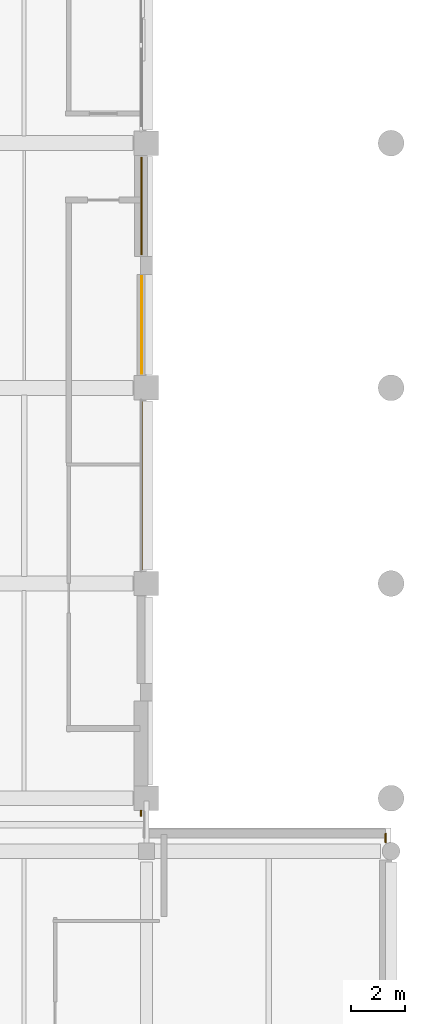
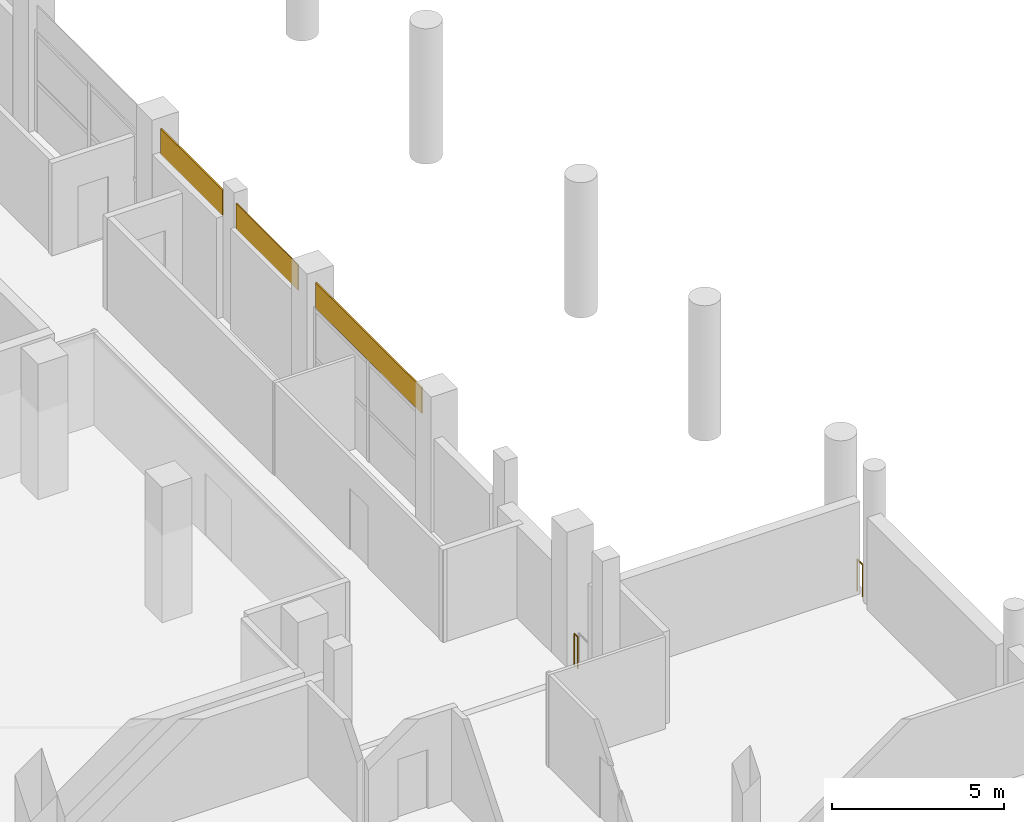
# One storey, part 89 of 100: 3 coverings, 2 railings.
"""IFC4 building model written with IfcOpenShell, lengths in metres."""

from ifc_helpers import new_model, si_unit, direction, frame, origin, origin_2d, place, context, subcontext, project, spatial, rectangle, circle, extrude, material, layer, layer_set, type_object, element, save


model = new_model("IFC4")

# Units and contexts
model_context = context("Model", 3, precision=1e-05, world=origin(), true_north=direction((0.0, 1.0)))
body_context = subcontext(model_context, "Body", "Model", "MODEL_VIEW")
ifc_project = project(units=[si_unit("LENGTHUNIT", "METRE"), si_unit("AREAUNIT", "SQUARE_METRE"), si_unit("VOLUMEUNIT", "CUBIC_METRE"), si_unit("PLANEANGLEUNIT", "RADIAN"), si_unit("MASSUNIT", "GRAM", prefix="KILO"), si_unit("THERMODYNAMICTEMPERATUREUNIT", "KELVIN"), si_unit("POWERUNIT", "WATT")], contexts=[model_context])

# Site, building, storey
site_placement = place(None, origin())
site = spatial("IfcSite", under=ifc_project, at=site_placement, CompositionType="ELEMENT")
building_placement = place(site_placement, origin())
building = spatial("IfcBuilding", under=site, at=building_placement, Name="Sindhuravela Promenade Stadium", CompositionType="ELEMENT")
storey_placement = place(building_placement, frame((0.0, 0.0, 4.800048828125)))
storey = spatial("IfcBuildingStorey", under=building, at=storey_placement, Name="L01", CompositionType="ELEMENT", Elevation=4.800048828125)

# Coverings
ifc_material_1 = material(Name="Polychrome trencadis ceramic mosaic", Category="masonry")
ifc_layer_1 = layer(ifc_material_1, 0.034912109375)
ifc_layer_set_1 = layer_set([ifc_layer_1], Name="Polychrome trencadis ceramic mosaic")
covering_type_1 = type_object("IfcCoveringType", Name="CV-TRENC-1", PredefinedType="CLADDING", material=ifc_layer_set_1)
covering_1_placement = place(storey_placement, frame((206.820068359375, 54.512451171875, 3.55517578125), z_axis=(0.0, 0.0, 1.0), x_axis=(0.0, -1.0, 0.0)))
element("IfcCovering", 1, at=covering_1_placement, inside=storey, type_object=covering_type_1, Name="Trencadis ceramic mosaic spandrel frieze EAST L01-168", PredefinedType="CLADDING", context=body_context, shape_type="SweptSolid", body=[
    extrude(rectangle(XDim=3.594970703125, YDim=0.034912109375, at=origin_2d()), origin(), (0.0, 0.0, 1.0), 0.905029296875),
])
ifc_layer_2 = layer(ifc_material_1, 0.050048828125)
ifc_layer_set_2 = layer_set([ifc_layer_2], Name="Polychrome trencadis ceramic mosaic")
covering_type_2 = type_object("IfcCoveringType", Name="CV-TRENC-2", PredefinedType="CLADDING", material=ifc_layer_set_2)
covering_2_placement = place(storey_placement, frame((206.820068359375, 58.887451171875, 3.55517578125), z_axis=(0.0, 0.0, 1.0), x_axis=(0.0, -1.0, 0.0)))
element("IfcCovering", 2, at=covering_2_placement, inside=storey, type_object=covering_type_2, Name="Trencadis ceramic mosaic spandrel frieze EAST L01-167", PredefinedType="CLADDING", context=body_context, shape_type="SweptSolid", body=[
    extrude(rectangle(XDim=3.594970703125, YDim=0.050048828125, at=origin_2d()), origin(), (0.0, 0.0, 1.0), 0.905029296875),
])
covering_3_placement = place(storey_placement, frame((206.820068359375, 48.60009765625, 3.55517578125), z_axis=(0.0, 0.0, 1.0), x_axis=(0.0, -1.0, 0.0)))
element("IfcCovering", 3, at=covering_3_placement, inside=storey, type_object=covering_type_2, Name="Trencadis ceramic mosaic spandrel frieze EAST L01-169", PredefinedType="CLADDING", context=body_context, shape_type="SweptSolid", body=[
    extrude(rectangle(XDim=6.169921875, YDim=0.050048828125, at=origin_2d()), origin(), (0.0, 0.0, 1.0), 0.905029296875),
])

# Railings
ifc_material_2 = material(Name="Architectural wrought steel E350", Category="steel")
railing_type = type_object("IfcRailingType", Name="RL-GRD-1150", PredefinedType="GUARDRAIL", material=ifc_material_2)
railing_1_placement = place(storey_placement, frame((206.800048828125, 36.64501953125, 0.0)))
element("IfcRailing", 4, at=railing_1_placement, inside=storey, type_object=railing_type, Name="Perimeter edge return guard EAST L01", PredefinedType="GUARDRAIL", context=body_context, shape_type="SweptSolid", body=[
    extrude(circle(Radius=0.02392578125, at=origin_2d()), frame((0.0, 0.0, 1.1259765625), z_axis=(0.0, -1.0, 0.0), x_axis=(1.0, 0.0, 0.0)), (0.0, 0.0, 1.0), 0.195068359375),
    extrude(circle(Radius=0.02099609375, at=origin_2d()), origin(), (0.0, 0.0, 1.0), 1.101806640625),
    extrude(circle(Radius=0.02099609375, at=origin_2d()), frame((0.0, -0.195068359375, 0.0)), (0.0, 0.0, 1.0), 1.101806640625),
])
railing_2_placement = place(storey_placement, frame((215.800048828125, 35.800048828125, 0.0)))
element("IfcRailing", 5, at=railing_2_placement, inside=storey, type_object=railing_type, Name="Perimeter edge return guard Pavilion SE L01", PredefinedType="GUARDRAIL", context=body_context, shape_type="SweptSolid", body=[
    extrude(circle(Radius=0.02392578125, at=origin_2d()), frame((0.0, 0.0, 1.1259765625), z_axis=(0.0, -1.0, 0.0), x_axis=(1.0, 0.0, 0.0)), (0.0, 0.0, 1.0), 0.320068359375),
    extrude(circle(Radius=0.02099609375, at=origin_2d()), origin(), (0.0, 0.0, 1.0), 1.101806640625),
    extrude(circle(Radius=0.02099609375, at=origin_2d()), frame((0.0, -0.320068359375, 0.0)), (0.0, 0.0, 1.0), 1.101806640625),
])

save(model, "model.ifc")
